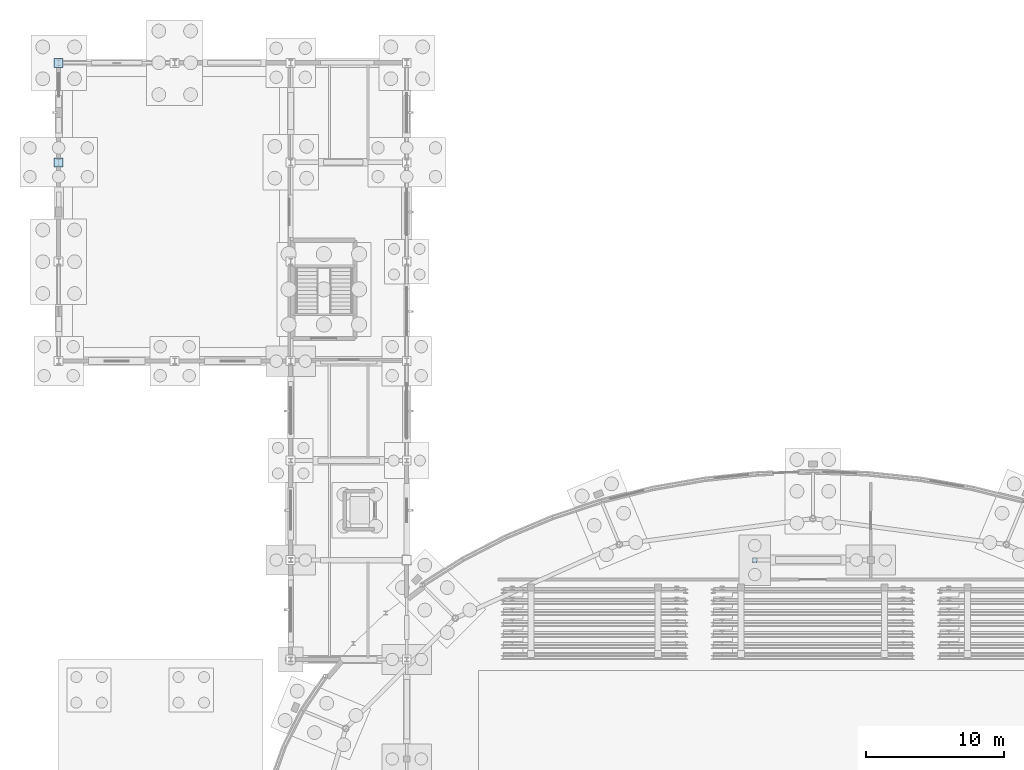
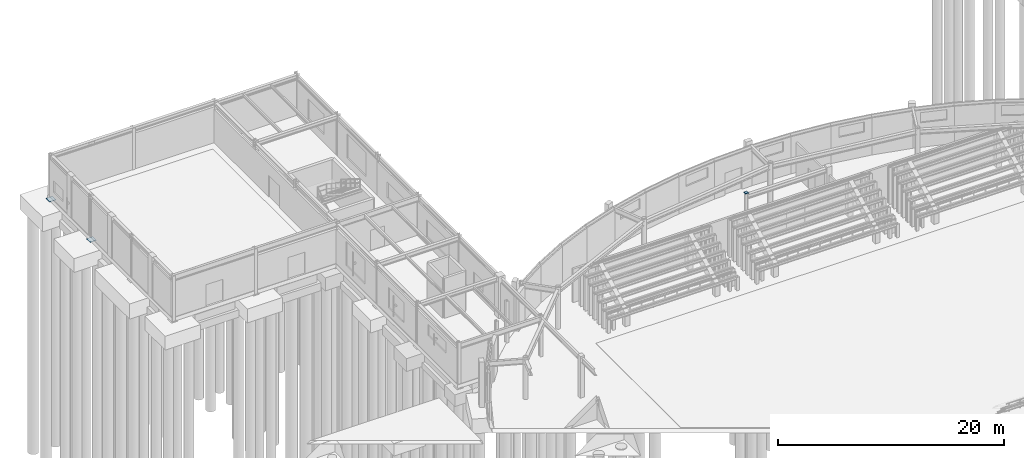
# One storey, part 52 of 93: 3 plates.
"""IFC4 building model written with IfcOpenShell, lengths in metres."""

from ifc_helpers import new_model, si_unit, derived_unit, direction, frame, origin, origin_2d, place, context, subcontext, project, spatial, rectangle, extrude, material, layer, layer_set, type_object, element, save


model = new_model("IFC4")

# Units and contexts
model_context = context("Model", 3, precision=1e-05, world=origin(), true_north=direction((0.0, 1.0)))
body_context = subcontext(model_context, "Body", "Model", "MODEL_VIEW")
ifc_project = project(units=[si_unit("LENGTHUNIT", "METRE"), si_unit("AREAUNIT", "SQUARE_METRE"), si_unit("VOLUMEUNIT", "CUBIC_METRE"), si_unit("PLANEANGLEUNIT", "RADIAN"), si_unit("MASSUNIT", "GRAM", prefix="KILO"), derived_unit("THERMALTRANSMITTANCEUNIT", [(si_unit("MASSUNIT", "GRAM", prefix="KILO"), 1), (si_unit("TIMEUNIT", "SECOND"), -3), (si_unit("THERMODYNAMICTEMPERATUREUNIT", "KELVIN"), -1)])], contexts=[model_context])

# Site, building, storey
site_placement = place(None, origin())
site = spatial("IfcSite", under=ifc_project, at=site_placement, CompositionType="ELEMENT")
building_placement = place(site_placement, origin())
building = spatial("IfcBuilding", under=site, at=building_placement, Name="Kharveza Railside Sports Centre", CompositionType="ELEMENT")
storey_placement = place(building_placement, origin())
storey = spatial("IfcBuildingStorey", under=building, at=storey_placement, Name="L00", CompositionType="ELEMENT", Elevation=0.0)

# Plates
ifc_material = material(Name="Steel S355J2", Category="steel")
ifc_layer_1 = layer(ifc_material, 0.02001953125, Name="Steel S355J2")
ifc_layer_set_1 = layer_set([ifc_layer_1], Name="Steel S355J2")
plate_type_1 = type_object("IfcPlateType", Name="PL-EC03", PredefinedType="USERDEFINED", material=ifc_layer_set_1)
plate_placement = place(storey_placement, frame((50.39990234375, 72.0, 4.489990234375), z_axis=(0.0, 0.0, 1.0), x_axis=(1.0, 0.0, 0.0)))
element("IfcPlate", 1, at=plate_placement, inside=storey, type_object=plate_type_1, Name="PLT-EC-005", ObjectType="END_CAP_PLATE", PredefinedType="USERDEFINED", context=body_context, shape_type="SweptSolid", body=[
    extrude(rectangle(XDim=0.323974609375, YDim=0.323974609375, at=origin_2d()), origin(), (0.0, 0.0, 1.0), 0.02001953125),
])
ifc_layer_2 = layer(ifc_material, 0.034912109375, Name="Steel S355J2")
ifc_layer_set_2 = layer_set([ifc_layer_2], Name="Steel S355J2")
plate_type_2 = type_object("IfcPlateType", Name="PL-GS06", PredefinedType="USERDEFINED", material=ifc_layer_set_2)
for number, where, z_axis, x_axis, name in (
    (2, (0.0, 100.800048828125, -0.419921875), (0.0, 0.0, 1.0), (1.0, 0.0, 0.0), "PLT-BP-03"),
    (3, (0.0, 108.0, -0.419921875), (0.0, 0.0, 1.0), (1.0, 0.0, 0.0), "PLT-BP-04"),
):
    element("IfcPlate", number, at=place(storey_placement, frame(where, z_axis=z_axis, x_axis=x_axis)), inside=storey, type_object=plate_type_2, Name=name, ObjectType="GUSSET_PLATE", PredefinedType="USERDEFINED", context=body_context, shape_type="SweptSolid", body=[
        extrude(rectangle(XDim=0.64990234375, YDim=0.64990234375, at=origin_2d()), origin(), (0.0, 0.0, 1.0), 0.034912109375),
    ])

save(model, "model.ifc")
